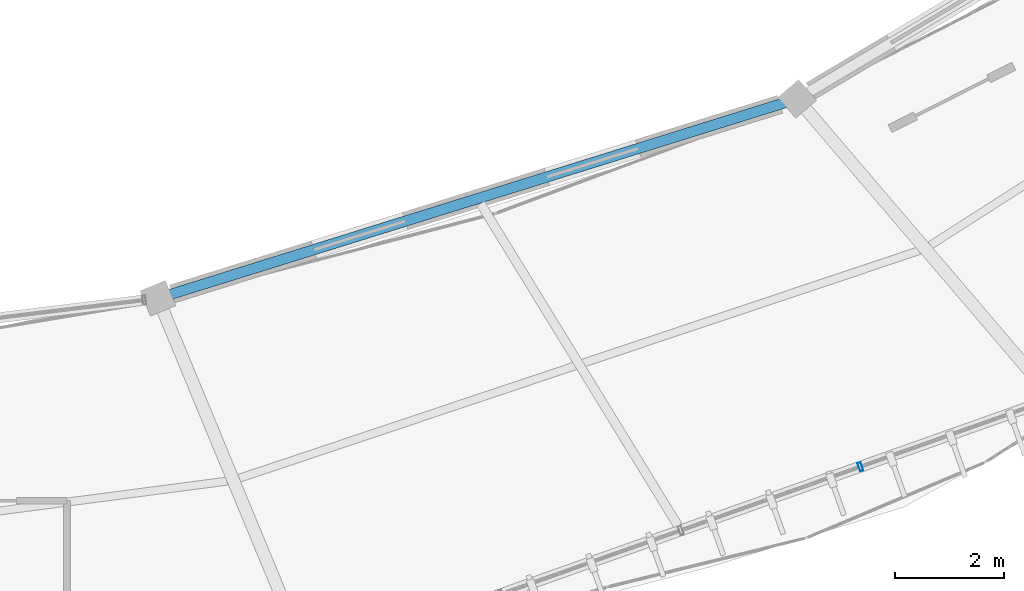
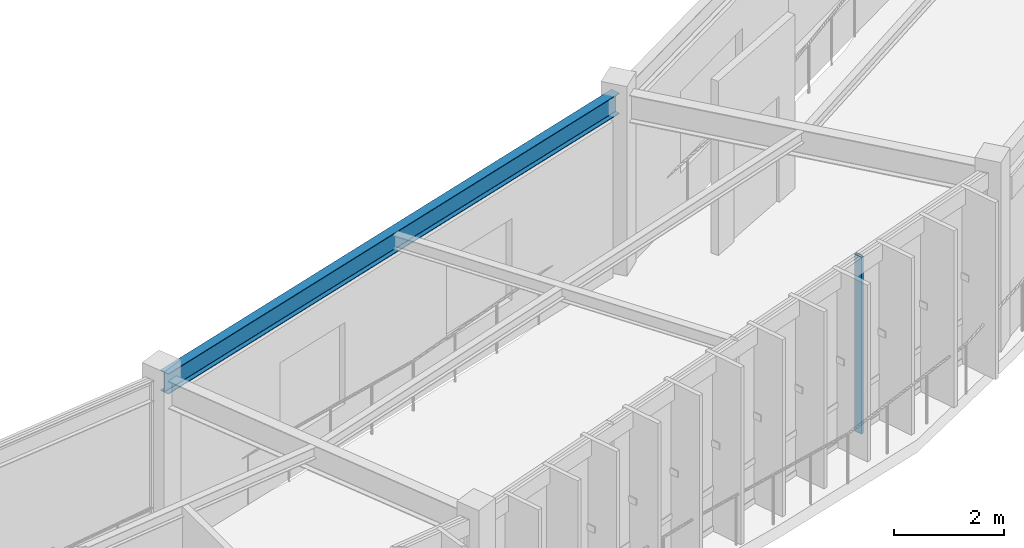
# One storey, part 46 of 78: 1 beam, 1 member, 1 element without a shape of its own.
"""IFC4 building model written with IfcOpenShell, lengths in metres."""

from ifc_helpers import new_model, si_unit, direction, frame, origin, origin_2d, place, context, subcontext, project, spatial, hollow_rectangle, i_section, extrude, material, material_profile, profile_set, type_object, element, aggregate, save


model = new_model("IFC4")

# Units and contexts
model_context = context("Model", 3, precision=1e-05, world=origin(), true_north=direction((0.0, 1.0)))
body_context = subcontext(model_context, "Body", "Model", "MODEL_VIEW")
ifc_project = project(units=[si_unit("LENGTHUNIT", "METRE"), si_unit("AREAUNIT", "SQUARE_METRE"), si_unit("VOLUMEUNIT", "CUBIC_METRE"), si_unit("PLANEANGLEUNIT", "RADIAN"), si_unit("MASSUNIT", "GRAM", prefix="KILO"), si_unit("THERMODYNAMICTEMPERATUREUNIT", "KELVIN"), si_unit("POWERUNIT", "WATT")], contexts=[model_context])

# Site, building, storey
site_placement = place(None, origin())
site = spatial("IfcSite", under=ifc_project, at=site_placement, CompositionType="ELEMENT")
building_placement = place(site_placement, origin())
building = spatial("IfcBuilding", under=site, at=building_placement, Name="Darbajah Civic Hall", CompositionType="ELEMENT")
storey_placement = place(building_placement, frame((0.0, 0.0, 26.39990234375)))
storey = spatial("IfcBuildingStorey", under=building, at=storey_placement, Name="L06", CompositionType="ELEMENT", Elevation=26.39990234375)

# Curtain wall, member
ifc_material_1 = material(Name="Anodised Bronze Aluminium and Low-E Glazing", Category="aluminium")
curtain_wall_type = type_object("IfcCurtainWallType", Name="Unitised Curtain Wall CW-85 13900x3900", PredefinedType="USERDEFINED", material=ifc_material_1)
curtain_wall_placement = place(storey_placement, origin())
curtain_wall = element("IfcCurtainWall", 1, at=curtain_wall_placement, inside=storey, type_object=curtain_wall_type, Name="L06 unitised curtain wall CW-V1O-L06-16", ObjectType="UNITISED CURTAIN WALL", PredefinedType="USERDEFINED")
ifc_material_2 = material(Name="Anodised Bronze Aluminium", Category="aluminium")
ifc_material_profile_1 = material_profile(ifc_material_2, hollow_rectangle(XDim=0.06005859375, YDim=0.159912109375, WallThickness=0.00341796875, at=origin_2d()), Name="ALU MULLION 60x160")
ifc_profile_set_1 = profile_set([ifc_material_profile_1], Name="Anodised Bronze Aluminium")
member_type = type_object("IfcMemberType", Name="ALU MULLION 60x160", PredefinedType="MULLION", material=ifc_profile_set_1)
member_placement = place(storey_placement, frame((118.701904296875, 66.120361328125, 0.0), z_axis=(0.0, 0.0, 1.0), x_axis=(0.94252491309, 0.334135882844, 0.0)))
member = element("IfcMember", 2, at=member_placement, type_object=member_type, Name="CW-V1O-L06-16 mullion 4", PredefinedType="MULLION", context=body_context, shape_type="SweptSolid", body=[
    extrude(hollow_rectangle(XDim=0.06005859375, YDim=0.159912109375, WallThickness=0.00341796875, at=origin_2d()), origin(), (0.0, 0.0, 1.0), 3.920166015625),
])
aggregate(curtain_wall, [member])

# Beam
ifc_material_3 = material(Name="Steel S355JR", Category="steel")
ifc_material_profile_2 = material_profile(ifc_material_3, i_section(OverallWidth=0.1904296875, OverallDepth=0.45703125, WebThickness=0.009033203125, FlangeThickness=0.014404296875, FilletRadius=0.01025390625, at=origin_2d()), Name="UB 457x191x74")
ifc_profile_set_2 = profile_set([ifc_material_profile_2], Name="Steel S355JR")
beam_type = type_object("IfcBeamType", Name="UB 457x191x74", PredefinedType="BEAM", material=ifc_profile_set_2)
beam_placement = place(storey_placement, frame((105.93798828125, 69.22119140625, 3.691650390625), z_axis=(0.954614020433, 0.297845718441, 0.0), x_axis=(-0.297845718441, 0.954614020433, 0.0)))
element("IfcBeam", 3, at=beam_placement, inside=storey, type_object=beam_type, Name="L06 beam SB-457", PredefinedType="BEAM", context=body_context, shape_type="SweptSolid", body=[
    extrude(i_section(OverallWidth=0.1904296875, OverallDepth=0.45703125, WebThickness=0.009033203125, FlangeThickness=0.014404296875, FilletRadius=0.01025390625, at=origin_2d()), origin(), (0.0, 0.0, 1.0), 12.079833984375),
])

save(model, "model.ifc")
